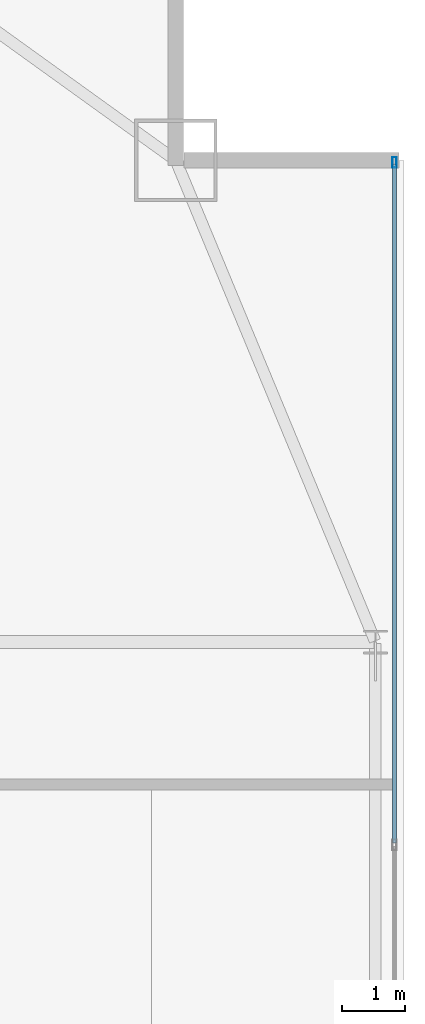
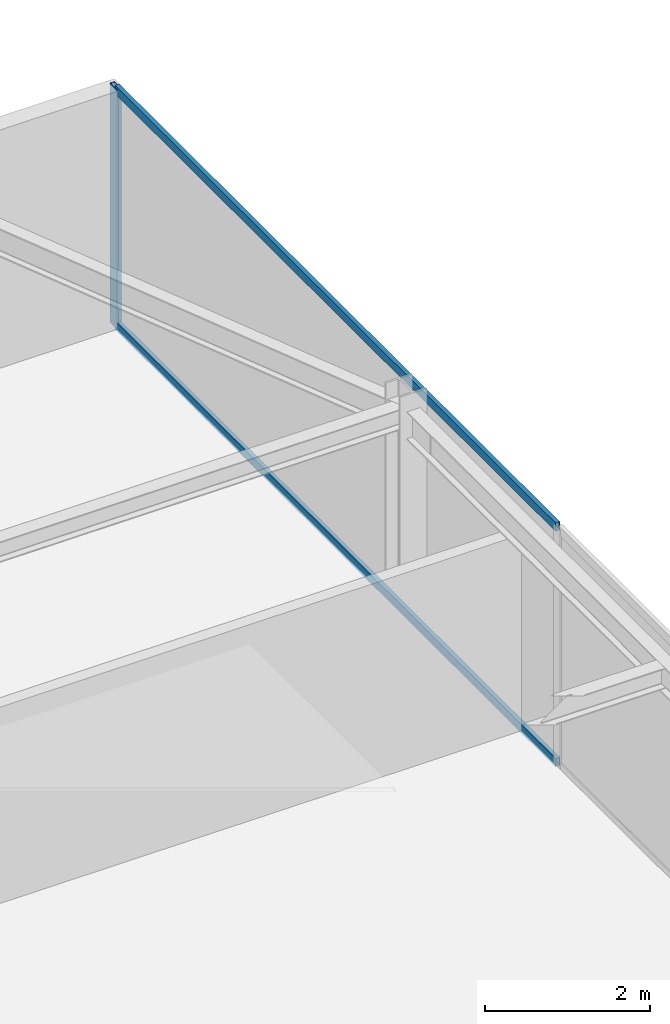
# One storey, part 22 of 31: 3 members, 1 element without a shape of its own.
"""IFC4 building model written with IfcOpenShell, lengths in metres."""

from ifc_helpers import new_model, si_unit, direction, frame, origin, origin_2d, place, context, subcontext, project, spatial, hollow_rectangle, extrude, source, transform, mapped, material, layer, layer_set, material_profile, profile_set, type_object, type_shapes, element, aggregate, save


model = new_model("IFC4")

# Units and contexts
model_context = context("Model", 3, precision=1e-05, world=origin(), true_north=direction((0.0, 1.0)))
body_context = subcontext(model_context, "Body", "Model", "MODEL_VIEW")
ifc_project = project(units=[si_unit("LENGTHUNIT", "METRE"), si_unit("AREAUNIT", "SQUARE_METRE"), si_unit("VOLUMEUNIT", "CUBIC_METRE"), si_unit("PLANEANGLEUNIT", "RADIAN"), si_unit("MASSUNIT", "GRAM", prefix="KILO")], contexts=[model_context])

# Site, building, storey
site_placement = place(None, origin())
site = spatial("IfcSite", under=ifc_project, at=site_placement, CompositionType="ELEMENT")
building_placement = place(site_placement, origin())
building = spatial("IfcBuilding", under=site, at=building_placement, Name="Varnel Quay Broadcast Tower", CompositionType="ELEMENT")
storey_placement = place(building_placement, frame((0.0, 0.0, 157.199951171875)))
storey = spatial("IfcBuildingStorey", under=building, at=storey_placement, Name="L38", CompositionType="ELEMENT", Elevation=157.199951171875)

# Curtain wall, members
ifc_material = material(Name="Anodised Bronze Aluminium 6063-T6", Category="aluminium")
ifc_layer = layer(ifc_material, 0.18994140625, Name="Anodised Bronze Aluminium 6063-T6")
ifc_layer_set = layer_set([ifc_layer], Name="Anodised Bronze Aluminium 6063-T6")
curtain_wall_type = type_object("IfcCurtainWallType", Name="CW_UpperTower", PredefinedType="NOTDEFINED", material=ifc_layer_set)
curtain_wall_placement = place(storey_placement, origin())
curtain_wall = element("IfcCurtainWall", 1, at=curtain_wall_placement, inside=storey, type_object=curtain_wall_type, Name="L38 East Unitised Curtain Wall", PredefinedType="NOTDEFINED")
ifc_material_profile_1 = material_profile(ifc_material, hollow_rectangle(XDim=0.06494140625, YDim=0.1650390625, WallThickness=0.00341796875, at=origin_2d()), Name="ALU65X165X3.5")
ifc_profile_set_1 = profile_set([ifc_material_profile_1], Name="Anodised Bronze Aluminium 6063-T6")
member_type_1 = type_object("IfcMemberType", Name="Mull_CWS-03", PredefinedType="MULLION", material=ifc_profile_set_1)
shared_shape_1 = source(origin(), body_context, "Body", "SweptSolid", [
    extrude(hollow_rectangle(XDim=0.06494140625, YDim=0.1650390625, WallThickness=0.00341796875, at=origin_2d()), origin(), (0.0, 0.0, 1.0), 3.550048828125),
])
type_shapes(member_type_1, [shared_shape_1])
member_1_placement = place(storey_placement, frame((60.85009765625, 43.16748046875, 0.0), z_axis=(0.0, 0.0, 1.0), x_axis=(-1.0, 0.0, 0.0)))
member_1 = element("IfcMember", 2, at=member_1_placement, type_object=member_type_1, Name="CWS-03 mullion 4", PredefinedType="MULLION", context=body_context, shape_type="MappedRepresentation", body=[
    mapped(shared_shape_1, transform((0.0, 0.0, 0.0), x_axis=(1.0, 0.0, 0.0), y_axis=(0.0, 1.0, 0.0), z_axis=(0.0, 0.0, 1.0), scale=1.0)),
])
ifc_material_profile_2 = material_profile(ifc_material, hollow_rectangle(XDim=0.06005859375, YDim=0.125, WallThickness=0.0029296875, at=origin_2d()), Name="ALU60X125X3")
ifc_profile_set_2 = profile_set([ifc_material_profile_2], Name="Anodised Bronze Aluminium 6063-T6")
member_type_2 = type_object("IfcMemberType", Name="Tran_CWS-03", PredefinedType="USERDEFINED", material=ifc_profile_set_2)
shared_shape_2 = source(origin(), body_context, "Body", "SweptSolid", [
    extrude(hollow_rectangle(XDim=0.06005859375, YDim=0.125, WallThickness=0.0029296875, at=origin_2d()), origin(), (0.0, 0.0, 1.0), 10.702392578125),
])
type_shapes(member_type_2, [shared_shape_2])
member_2_placement = place(storey_placement, frame((60.85009765625, 32.4326171875, 0.030029296875), z_axis=(0.0, 1.0, 0.0), x_axis=(-1.0, 0.0, 0.0)))
member_2 = element("IfcMember", 3, at=member_2_placement, type_object=member_type_2, Name="CWS-03 transom 3.1", ObjectType="TRANSOM", PredefinedType="USERDEFINED", context=body_context, shape_type="MappedRepresentation", body=[
    mapped(shared_shape_2, transform((0.0, 0.0, 0.0), x_axis=(1.0, 0.0, 0.0), y_axis=(0.0, 1.0, 0.0), z_axis=(0.0, 0.0, 1.0), scale=1.0)),
])
member_3_placement = place(storey_placement, frame((60.85009765625, 32.4326171875, 3.52001953125), z_axis=(0.0, 1.0, 0.0), x_axis=(-1.0, 0.0, 0.0)))
member_3 = element("IfcMember", 4, at=member_3_placement, type_object=member_type_2, Name="CWS-03 transom 3.2", ObjectType="TRANSOM", PredefinedType="USERDEFINED", context=body_context, shape_type="MappedRepresentation", body=[
    mapped(shared_shape_2, transform((0.0, 0.0, 0.0), x_axis=(1.0, 0.0, 0.0), y_axis=(0.0, 1.0, 0.0), z_axis=(0.0, 0.0, 1.0), scale=1.0)),
])
aggregate(curtain_wall, [member_1, member_2, member_3])

save(model, "model.ifc")
